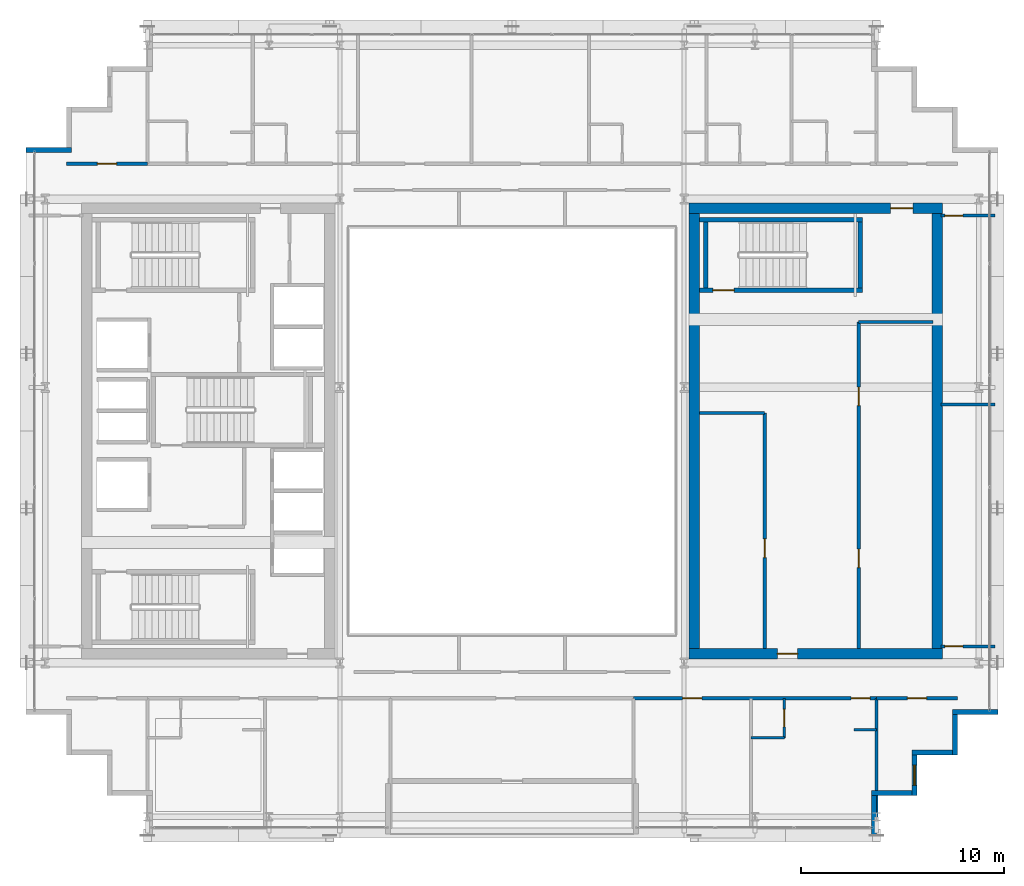
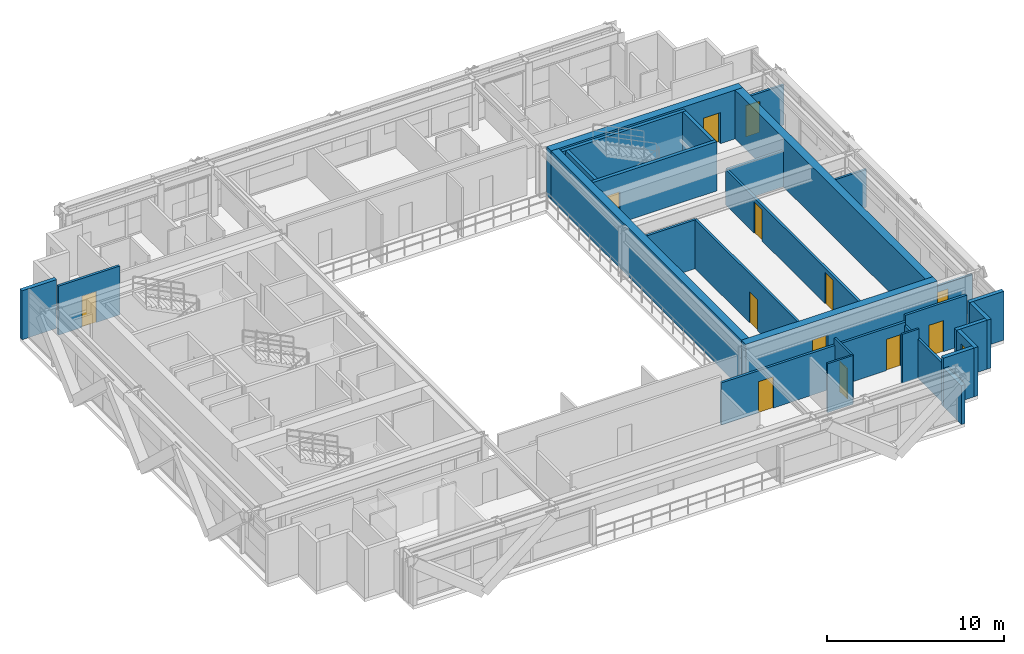
# One storey, part 26 of 32: 29 walls, 13 doors, 1 window, 14 openings.
"""IFC4 building model written with IfcOpenShell, lengths in metres."""

from ifc_helpers import new_model, si_unit, direction, frame, frame_2d, origin, place, context, subcontext, project, spatial, rectangle, extrude, source, transform, mapped, material, layer, layer_set, type_object, element, fill, save


model = new_model("IFC4")

# Units and contexts
model_context = context("Model", 3, precision=1e-05, world=origin(), true_north=direction((0.0, 1.0)))
body_context = subcontext(model_context, "Body", "Model", "MODEL_VIEW")
ifc_project = project(units=[si_unit("LENGTHUNIT", "METRE"), si_unit("AREAUNIT", "SQUARE_METRE"), si_unit("VOLUMEUNIT", "CUBIC_METRE"), si_unit("PLANEANGLEUNIT", "RADIAN"), si_unit("MASSUNIT", "GRAM", prefix="KILO")], contexts=[model_context])

# Site, building, storey
site_placement = place(None, origin())
site = spatial("IfcSite", under=ifc_project, at=site_placement, CompositionType="ELEMENT")
building_placement = place(site_placement, origin())
building = spatial("IfcBuilding", under=site, at=building_placement, Name="Ocotamira Hotel", CompositionType="ELEMENT")
storey_placement = place(building_placement, frame((0.0, 0.0, 184.800048828125)))
storey = spatial("IfcBuildingStorey", under=building, at=storey_placement, Name="L46", CompositionType="ELEMENT", Elevation=184.800048828125)

# Wall, opening, door
ifc_material_1 = material(Name="Concrete C50/60", Category="concrete")
ifc_layer_1 = layer(ifc_material_1, 0.5)
ifc_layer_set_1 = layer_set([ifc_layer_1], Name="Concrete C50/60")
wall_type_1 = type_object("IfcWallType", Name="WL-CORE-500", PredefinedType="SHEAR", material=ifc_layer_set_1)
wall_1_placement = place(storey_placement, frame((40.75, 15.0, 0.0), z_axis=(0.0, 0.0, 1.0), x_axis=(1.0, 0.0, 0.0)))
wall_1 = element("IfcWall", 1, at=wall_1_placement, inside=storey, type_object=wall_type_1, Name="L46 Shear Core Wall ECORE-S", PredefinedType="SHEAR", context=body_context, shape_type="SweptSolid", body=[
    extrude(rectangle(XDim=12.5, YDim=0.5, at=frame_2d((6.25, 0.0))), origin(), (0.0, 0.0, 1.0), 3.369873046875),
])
opening_1_placement = place(wall_1_placement, frame((4.35009765625, 0.0, 0.0)))
opening_1 = element("IfcOpeningElement", 2, at=opening_1_placement, cuts=wall_1, Name="Opening D-FR2", PredefinedType="OPENING", context=body_context, shape_type="SweptSolid", body=[
    extrude(rectangle(XDim=1.0, YDim=2.14990234375, at=frame_2d((0.5, 1.074951171875))), frame((0.0, 0.260009765625, 0.0), z_axis=(0.0, -1.0, 0.0), x_axis=(1.0, 0.0, 0.0)), (0.0, 0.0, 1.0), 0.52001953125),
])
ifc_material_2 = material(Name="Fire-rated acoustic timber-veneer door", Category="wood")
door_type_1 = type_object("IfcDoorType", Name="DR-FIRE-1000", OperationType="NOTDEFINED", PredefinedType="DOOR", material=ifc_material_2)
shared_shape_1 = source(origin(), body_context, "Body", "SweptSolid", [
    extrude(rectangle(XDim=1.0, YDim=2.14990234375, at=frame_2d((0.5, 1.074951171875))), frame((0.0, 0.02490234375, 0.0), z_axis=(0.0, -1.0, 0.0), x_axis=(1.0, 0.0, 0.0)), (0.0, 0.0, 1.0), 0.050048828125),
])
door_1_placement = place(opening_1_placement, origin())
door_1 = element("IfcDoor", 3, at=door_1_placement, inside=storey, type_object=door_type_1, Name="L46 Door ID-L46-ELOB-S-D [ID-L46-ELOB-S-D]", OperationType="SINGLE_SWING_RIGHT", OverallHeight=2.14990234375, OverallWidth=1.0, PredefinedType="DOOR", context=body_context, shape_type="MappedRepresentation", body=[
    mapped(shared_shape_1, transform((0.0, 0.0, 0.0), scale=1.0)),
])
fill(opening_1, door_1)

wall_2_placement = place(storey_placement, frame((40.75, 37.0, 0.0), z_axis=(0.0, 0.0, 1.0), x_axis=(1.0, 0.0, 0.0)))
wall_2 = element("IfcWall", 4, at=wall_2_placement, inside=storey, type_object=wall_type_1, Name="L46 Shear Core Wall ECORE-N", PredefinedType="SHEAR", context=body_context, shape_type="SweptSolid", body=[
    extrude(rectangle(XDim=12.5, YDim=0.5, at=frame_2d((6.25, 0.0))), origin(), (0.0, 0.0, 1.0), 3.369873046875),
])
opening_2_placement = place(wall_2_placement, frame((9.949951171875, 0.0, 0.0)))
opening_2 = element("IfcOpeningElement", 5, at=opening_2_placement, cuts=wall_2, Name="Opening D-FR1", PredefinedType="OPENING", context=body_context, shape_type="SweptSolid", body=[
    extrude(rectangle(XDim=1.10009765625, YDim=2.14990234375, at=frame_2d((0.550048828125, 1.074951171875))), frame((0.0, 0.260009765625, 0.0), z_axis=(0.0, -1.0, 0.0), x_axis=(1.0, 0.0, 0.0)), (0.0, 0.0, 1.0), 0.52001953125),
])
door_type_2 = type_object("IfcDoorType", Name="DR-FIRE-1100", OperationType="NOTDEFINED", PredefinedType="DOOR", material=ifc_material_2)
shared_shape_2 = source(origin(), body_context, "Body", "SweptSolid", [
    extrude(rectangle(XDim=1.10009765625, YDim=2.14990234375, at=frame_2d((0.550048828125, 1.074951171875))), frame((0.0, 0.02490234375, 0.0), z_axis=(0.0, -1.0, 0.0), x_axis=(1.0, 0.0, 0.0)), (0.0, 0.0, 1.0), 0.050048828125),
])
door_2_placement = place(opening_2_placement, origin())
door_2 = element("IfcDoor", 6, at=door_2_placement, inside=storey, type_object=door_type_2, Name="L46 Door ID-L46-ELOB-N-D [ID-L46-ELOB-N-D]", OperationType="SINGLE_SWING_LEFT", OverallHeight=2.14990234375, OverallWidth=1.10009765625, PredefinedType="DOOR", context=body_context, shape_type="MappedRepresentation", body=[
    mapped(shared_shape_2, transform((0.0, 0.0, 0.0), scale=1.0)),
])
fill(opening_2, door_2)

# Walls
for number, where, z_axis, x_axis, name in (
    (7, (41.0, 15.25, 0.0), (0.0, 0.0, 1.0), (0.0, 1.0, 0.0), "L46 Shear Core Wall ECORE-W"),
    (8, (53.0, 15.25, 0.0), (0.0, 0.0, 1.0), (0.0, 1.0, 0.0), "L46 Shear Core Wall ECORE-E"),
):
    element("IfcWall", number, at=place(storey_placement, frame(where, z_axis=z_axis, x_axis=x_axis)), inside=storey, type_object=wall_type_1, Name=name, PredefinedType="SHEAR", context=body_context, shape_type="SweptSolid", body=[
        extrude(rectangle(XDim=21.5, YDim=0.5, at=frame_2d((10.75, 0.0))), origin(), (0.0, 0.0, 1.0), 3.369873046875),
    ])
ifc_material_3 = material(Name="Precast concrete C45/55", Category="concrete")
ifc_layer_2 = layer(ifc_material_3, 0.25)
ifc_layer_set_2 = layer_set([ifc_layer_2], Name="Precast concrete C45/55")
wall_type_2 = type_object("IfcWallType", Name="WL-EXT-SER-250", PredefinedType="SOLIDWALL", material=ifc_layer_set_2)
wall_3_placement = place(storey_placement, frame((49.875, 6.0, 0.0), z_axis=(0.0, 0.0, 1.0), x_axis=(0.0, 1.0, 0.0)))
element("IfcWall", 9, at=wall_3_placement, inside=storey, type_object=wall_type_2, Name="L46 Serrated Corner Wall 01", PredefinedType="SOLIDWALL", context=body_context, shape_type="SweptSolid", body=[
    extrude(rectangle(XDim=2.0, YDim=0.25, at=frame_2d((1.0, 0.0))), origin(), (0.0, 0.0, 1.0), 2.677001953125),
])
wall_4_placement = place(storey_placement, frame((49.75, 8.125, 0.0), z_axis=(0.0, 0.0, 1.0), x_axis=(1.0, 0.0, 0.0)))
element("IfcWall", 10, at=wall_4_placement, inside=storey, type_object=wall_type_2, Name="L46 Serrated Corner Wall 02", PredefinedType="SOLIDWALL", context=body_context, shape_type="SweptSolid", body=[
    extrude(rectangle(XDim=2.0, YDim=0.25, at=frame_2d((1.0, 0.0))), origin(), (0.0, 0.0, 1.0), 3.369873046875),
])

# Wall, opening, window
wall_5_placement = place(storey_placement, frame((51.875, 8.0, 0.0), z_axis=(0.0, 0.0, 1.0), x_axis=(0.0, 1.0, 0.0)))
wall_5 = element("IfcWall", 11, at=wall_5_placement, inside=storey, type_object=wall_type_2, Name="L46 Serrated Corner Wall 03", PredefinedType="SOLIDWALL", context=body_context, shape_type="SweptSolid", body=[
    extrude(rectangle(XDim=2.0, YDim=0.25, at=frame_2d((1.0, 0.0))), origin(), (0.0, 0.0, 1.0), 3.369873046875),
])
opening_3_placement = place(wall_5_placement, frame((0.5, 0.0, 0.85009765625)))
opening_3 = element("IfcOpeningElement", 12, at=opening_3_placement, cuts=wall_5, Name="Opening WN-2", PredefinedType="OPENING", context=body_context, shape_type="SweptSolid", body=[
    extrude(rectangle(XDim=1.0, YDim=1.89990234375, at=frame_2d((0.5, 0.949951171875))), frame((0.0, 0.135009765625, 0.0), z_axis=(0.0, -1.0, 0.0), x_axis=(1.0, 0.0, 0.0)), (0.0, 0.0, 1.0), 0.27001953125),
])
ifc_material_4 = material(Name="Double-silver low-E solar glass", Category="glass")
window_type = type_object("IfcWindowType", Name="WIN-SER-1100", PartitioningType="SINGLE_PANEL", PredefinedType="WINDOW", material=ifc_material_4)
shared_shape_3 = source(origin(), body_context, "Body", "SweptSolid", [
    extrude(rectangle(XDim=1.0, YDim=1.89990234375, at=frame_2d((0.5, 0.949951171875))), frame((0.0, 0.030029296875, 0.0), z_axis=(0.0, -1.0, 0.0), x_axis=(1.0, 0.0, 0.0)), (0.0, 0.0, 1.0), 0.06005859375),
])
window_placement = place(opening_3_placement, origin())
window = element("IfcWindow", 13, at=window_placement, inside=storey, type_object=window_type, Name="L46 Serrated Corner Window 03", OverallHeight=1.89990234375, OverallWidth=1.0, PartitioningType="SINGLE_PANEL", PredefinedType="WINDOW", context=body_context, shape_type="MappedRepresentation", body=[
    mapped(shared_shape_3, transform((0.0, 0.0, 0.0), scale=1.0)),
])
fill(opening_3, window)

# Walls
for number, where, z_axis, x_axis, name in (
    (14, (51.75, 10.125, 0.0), (0.0, 0.0, 1.0), (1.0, 0.0, 0.0), "L46 Serrated Corner Wall 04"),
    (15, (53.875, 10.0, 0.0), (0.0, 0.0, 1.0), (0.0, 1.0, 0.0), "L46 Serrated Corner Wall 05"),
):
    element("IfcWall", number, at=place(storey_placement, frame(where, z_axis=z_axis, x_axis=x_axis)), inside=storey, type_object=wall_type_2, Name=name, PredefinedType="SOLIDWALL", context=body_context, shape_type="SweptSolid", body=[
        extrude(rectangle(XDim=2.0, YDim=0.25, at=frame_2d((1.0, 0.0))), origin(), (0.0, 0.0, 1.0), 3.369873046875),
    ])
for number, where, z_axis, x_axis, name in (
    (16, (53.75, 12.125, 0.0), (0.0, 0.0, 1.0), (1.0, 0.0, 0.0), "L46 Serrated Corner Wall 06"),
    (17, (10.25, 39.875, 0.0), (0.0, 0.0, 1.0), (-1.0, 0.0, 0.0), "L46 Serrated Corner Wall 18"),
):
    element("IfcWall", number, at=place(storey_placement, frame(where, z_axis=z_axis, x_axis=x_axis)), inside=storey, type_object=wall_type_2, Name=name, PredefinedType="SOLIDWALL", context=body_context, shape_type="SweptSolid", body=[
        extrude(rectangle(XDim=2.25, YDim=0.25, at=frame_2d((1.125, 0.0))), origin(), (0.0, 0.0, 1.0), 3.369873046875),
    ])
ifc_material_5 = material(Name="Acoustic double-layer fire gypsum board partition", Category="gypsum")
ifc_layer_3 = layer(ifc_material_5, 0.159912109375)
ifc_layer_set_3 = layer_set([ifc_layer_3], Name="Acoustic double-layer fire gypsum board partition")
wall_type_3 = type_object("IfcWallType", Name="WL-FIRE-160", PredefinedType="PARTITIONING", material=ifc_layer_set_3)
wall_6_placement = place(storey_placement, frame((49.1201171875, 31.3798828125, 0.0), z_axis=(0.0, 0.0, 1.0), x_axis=(1.0, 0.0, 0.0)))
element("IfcWall", 18, at=wall_6_placement, inside=storey, type_object=wall_type_3, Name="L46 Interior Wall PW-L46-EC-FLOW-N", PredefinedType="PARTITIONING", context=body_context, shape_type="SweptSolid", body=[
    extrude(rectangle(XDim=3.679931640625, YDim=0.159912109375, at=frame_2d((1.83984375, 0.0))), origin(), (0.0, 0.0, 1.0), 2.469970703125),
])

# Wall, openings, doors
wall_7_placement = place(storey_placement, frame((49.1201171875, 15.25, 0.0), z_axis=(0.0, 0.0, 1.0), x_axis=(0.0, 1.0, 0.0)))
wall_7 = element("IfcWall", 19, at=wall_7_placement, inside=storey, type_object=wall_type_3, Name="L46 Interior Wall PW-L46-EC-FLOW-W", PredefinedType="PARTITIONING", context=body_context, shape_type="SweptSolid", body=[
    extrude(rectangle(XDim=16.1298828125, YDim=0.159912109375, at=frame_2d((8.06494140625, 0.0))), origin(), (0.0, 0.0, 1.0), 2.44287109375),
])
opening_4_placement = place(wall_7_placement, frame((4.0, 0.0, 0.0)))
opening_4 = element("IfcOpeningElement", 20, at=opening_4_placement, cuts=wall_7, Name="Opening D-SV3", PredefinedType="OPENING", context=body_context, shape_type="SweptSolid", body=[
    extrude(rectangle(XDim=0.919921875, YDim=2.14990234375, at=frame_2d((0.4599609375, 1.074951171875))), frame((0.0, 0.08984375, 0.0), z_axis=(0.0, -1.0, 0.0), x_axis=(1.0, 0.0, 0.0)), (0.0, 0.0, 1.0), 0.179931640625),
])
opening_5_placement = place(wall_7_placement, frame((12.0, 0.0, 0.0)))
opening_5 = element("IfcOpeningElement", 21, at=opening_5_placement, cuts=wall_7, Name="Opening D-SV3", PredefinedType="OPENING", context=body_context, shape_type="SweptSolid", body=[
    extrude(rectangle(XDim=0.919921875, YDim=2.14990234375, at=frame_2d((0.4599609375, 1.074951171875))), frame((0.0, 0.08984375, 0.0), z_axis=(0.0, -1.0, 0.0), x_axis=(1.0, 0.0, 0.0)), (0.0, 0.0, 1.0), 0.179931640625),
])
ifc_material_6 = material(Name="Fire-rated walnut hospitality door", Category="wood")
door_type_3 = type_object("IfcDoorType", Name="DR-SERV-920", OperationType="NOTDEFINED", PredefinedType="DOOR", material=ifc_material_6)
shared_shape_4 = source(origin(), body_context, "Body", "SweptSolid", [
    extrude(rectangle(XDim=0.919921875, YDim=2.14990234375, at=frame_2d((0.4599609375, 1.074951171875))), frame((0.0, 0.02490234375, 0.0), z_axis=(0.0, -1.0, 0.0), x_axis=(1.0, 0.0, 0.0)), (0.0, 0.0, 1.0), 0.050048828125),
])
door_3_placement = place(opening_4_placement, origin())
door_3 = element("IfcDoor", 22, at=door_3_placement, inside=storey, type_object=door_type_3, Name="L46 Door ID-L46-EC-FLOW-D1 [ID-L46-EC-FLOW-D1]", OperationType="SINGLE_SWING_LEFT", OverallHeight=2.14990234375, OverallWidth=0.919921875, PredefinedType="DOOR", context=body_context, shape_type="MappedRepresentation", body=[
    mapped(shared_shape_4, transform((0.0, 0.0, 0.0), scale=1.0)),
])
fill(opening_4, door_3)
door_4_placement = place(opening_5_placement, origin())
door_4 = element("IfcDoor", 23, at=door_4_placement, inside=storey, type_object=door_type_3, Name="L46 Door ID-L46-EC-FLOW-D2 [ID-L46-EC-FLOW-D2]", OperationType="SINGLE_SWING_RIGHT", OverallHeight=2.14990234375, OverallWidth=0.919921875, PredefinedType="DOOR", context=body_context, shape_type="MappedRepresentation", body=[
    mapped(shared_shape_4, transform((0.0, 0.0, 0.0), scale=1.0)),
])
fill(opening_5, door_4)

# Wall, opening, door
wall_8_placement = place(storey_placement, frame((50.0, 12.800048828125, 0.0), z_axis=(0.0, 0.0, 1.0), x_axis=(1.0, 0.0, 0.0)))
wall_8 = element("IfcWall", 24, at=wall_8_placement, inside=storey, type_object=wall_type_3, Name="L46 Interior Wall PW-L46-Z3C-CSE-CW", PredefinedType="PARTITIONING", context=body_context, shape_type="SweptSolid", body=[
    extrude(rectangle(XDim=4.0, YDim=0.159912109375, at=frame_2d((2.0, 0.0))), origin(), (0.0, 0.0, 1.0), 3.369873046875),
])
opening_6_placement = place(wall_8_placement, frame((1.52001953125, 0.0, 0.0)))
opening_6 = element("IfcOpeningElement", 25, at=opening_6_placement, cuts=wall_8, Name="Opening D-SV4", PredefinedType="OPENING", context=body_context, shape_type="SweptSolid", body=[
    extrude(rectangle(XDim=0.9599609375, YDim=2.14990234375, at=frame_2d((0.47998046875, 1.074951171875))), frame((0.0, 0.08984375, 0.0), z_axis=(0.0, -1.0, 0.0), x_axis=(1.0, 0.0, 0.0)), (0.0, 0.0, 1.0), 0.179931640625),
])
ifc_material_7 = material(Name="Fire-rated accessible walnut salon door", Category="wood")
door_type_4 = type_object("IfcDoorType", Name="DR-SERV-960", OperationType="NOTDEFINED", PredefinedType="DOOR", material=ifc_material_7)
shared_shape_5 = source(origin(), body_context, "Body", "SweptSolid", [
    extrude(rectangle(XDim=0.9599609375, YDim=2.14990234375, at=frame_2d((0.47998046875, 1.074951171875))), frame((0.0, 0.02490234375, 0.0), z_axis=(0.0, -1.0, 0.0), x_axis=(1.0, 0.0, 0.0)), (0.0, 0.0, 1.0), 0.050048828125),
])
door_5_placement = place(opening_6_placement, origin())
door_5 = element("IfcDoor", 26, at=door_5_placement, inside=storey, type_object=door_type_4, Name="L46 Door ID-L46-Z3C-CSE-CD [ID-L46-Z3C-CSE-CD]", OperationType="SINGLE_SWING_LEFT", OverallHeight=2.14990234375, OverallWidth=0.9599609375, PredefinedType="DOOR", context=body_context, shape_type="MappedRepresentation", body=[
    mapped(shared_shape_5, transform((0.0, 0.0, 0.0), scale=1.0)),
])
fill(opening_6, door_5)

wall_9_placement = place(storey_placement, frame((10.0, 39.199951171875, 0.0), z_axis=(0.0, 0.0, 1.0), x_axis=(1.0, 0.0, 0.0)))
wall_9 = element("IfcWall", 27, at=wall_9_placement, inside=storey, type_object=wall_type_3, Name="L46 Interior Wall PW-L46-Z3C-CNW-CW", PredefinedType="PARTITIONING", context=body_context, shape_type="SweptSolid", body=[
    extrude(rectangle(XDim=4.0, YDim=0.159912109375, at=frame_2d((2.0, 0.0))), origin(), (0.0, 0.0, 1.0), 3.369873046875),
])
opening_7_placement = place(wall_9_placement, frame((1.52001953125, 0.0, 0.0)))
opening_7 = element("IfcOpeningElement", 28, at=opening_7_placement, cuts=wall_9, Name="Opening D-SV4", PredefinedType="OPENING", context=body_context, shape_type="SweptSolid", body=[
    extrude(rectangle(XDim=0.9599609375, YDim=2.14990234375, at=frame_2d((0.47998046875, 1.074951171875))), frame((0.0, 0.08984375, 0.0), z_axis=(0.0, -1.0, 0.0), x_axis=(1.0, 0.0, 0.0)), (0.0, 0.0, 1.0), 0.179931640625),
])
door_6_placement = place(opening_7_placement, origin())
door_6 = element("IfcDoor", 29, at=door_6_placement, inside=storey, type_object=door_type_4, Name="L46 Door ID-L46-Z3C-CNW-CD [ID-L46-Z3C-CNW-CD]", OperationType="SINGLE_SWING_LEFT", OverallHeight=2.14990234375, OverallWidth=0.9599609375, PredefinedType="DOOR", context=body_context, shape_type="MappedRepresentation", body=[
    mapped(shared_shape_5, transform((0.0, 0.0, 0.0), scale=1.0)),
])
fill(opening_7, door_6)

# Wall, openings, doors
wall_10_placement = place(storey_placement, frame((38.0, 12.800048828125, 0.0), z_axis=(0.0, 0.0, 1.0), x_axis=(1.0, 0.0, 0.0)))
wall_10 = element("IfcWall", 30, at=wall_10_placement, inside=storey, type_object=wall_type_3, Name="L46 Interior Wall PW-L46-Z3CSE-CORRW", PredefinedType="PARTITIONING", context=body_context, shape_type="SweptSolid", body=[
    extrude(rectangle(XDim=12.0, YDim=0.159912109375, at=frame_2d((6.0, 0.0))), origin(), (0.0, 0.0, 1.0), 2.912841796875),
])
opening_8_placement = place(wall_10_placement, frame((2.419921875, 0.0, 0.0)))
opening_8 = element("IfcOpeningElement", 31, at=opening_8_placement, cuts=wall_10, Name="Opening D-SV4", PredefinedType="OPENING", context=body_context, shape_type="SweptSolid", body=[
    extrude(rectangle(XDim=0.9599609375, YDim=2.14990234375, at=frame_2d((0.47998046875, 1.074951171875))), frame((0.0, 0.08984375, 0.0), z_axis=(0.0, -1.0, 0.0), x_axis=(1.0, 0.0, 0.0)), (0.0, 0.0, 1.0), 0.179931640625),
])
opening_9_placement = place(wall_10_placement, frame((10.739990234375, 0.0, 0.0)))
opening_9 = element("IfcOpeningElement", 32, at=opening_9_placement, cuts=wall_10, Name="Opening D-GR1", PredefinedType="OPENING", context=body_context, shape_type="SweptSolid", body=[
    extrude(rectangle(XDim=0.93994140625, YDim=2.14990234375, at=frame_2d((0.469970703125, 1.074951171875))), frame((0.0, 0.08984375, 0.0), z_axis=(0.0, -1.0, 0.0), x_axis=(1.0, 0.0, 0.0)), (0.0, 0.0, 1.0), 0.179931640625),
])
door_7_placement = place(opening_8_placement, origin())
door_7 = element("IfcDoor", 33, at=door_7_placement, inside=storey, type_object=door_type_4, Name="L46 Door ID-L46-Z3CSE-AMD1 [ID-L46-Z3CSE-AMD1]", OperationType="SINGLE_SWING_LEFT", OverallHeight=2.14990234375, OverallWidth=0.9599609375, PredefinedType="DOOR", context=body_context, shape_type="MappedRepresentation", body=[
    mapped(shared_shape_5, transform((0.0, 0.0, 0.0), scale=1.0)),
])
fill(opening_8, door_7)
ifc_material_8 = material(Name="Solid-core walnut suite entrance fire door", Category="wood")
door_type_5 = type_object("IfcDoorType", Name="DR-GUEST-940", OperationType="NOTDEFINED", PredefinedType="DOOR", material=ifc_material_8)
shared_shape_6 = source(origin(), body_context, "Body", "SweptSolid", [
    extrude(rectangle(XDim=0.93994140625, YDim=2.14990234375, at=frame_2d((0.469970703125, 1.074951171875))), frame((0.0, 0.02490234375, 0.0), z_axis=(0.0, -1.0, 0.0), x_axis=(1.0, 0.0, 0.0)), (0.0, 0.0, 1.0), 0.050048828125),
])
door_8_placement = place(opening_9_placement, origin())
door_8 = element("IfcDoor", 34, at=door_8_placement, inside=storey, type_object=door_type_5, Name="L46 Door ID-L46-Z3CSE-RMD2 [ID-L46-Z3CSE-RMD2]", OperationType="SINGLE_SWING_RIGHT", OverallHeight=2.14990234375, OverallWidth=0.93994140625, PredefinedType="DOOR", context=body_context, shape_type="MappedRepresentation", body=[
    mapped(shared_shape_6, transform((0.0, 0.0, 0.0), scale=1.0)),
])
fill(opening_9, door_8)

# Wall, opening, door
ifc_material_9 = material(Name="Moisture-resistant en-suite tile and gypsum partition", Category="gypsum")
ifc_layer_4 = layer(ifc_material_9, 0.1201171875)
ifc_layer_set_4 = layer_set([ifc_layer_4], Name="Moisture-resistant en-suite tile and gypsum partition")
wall_type_4 = type_object("IfcWallType", Name="WL-PART-120", PredefinedType="PARTITIONING", material=ifc_layer_set_4)
wall_11_placement = place(storey_placement, frame((45.449951171875, 10.85009765625, 0.0), z_axis=(0.0, 0.0, 1.0), x_axis=(0.0, 1.0, 0.0)))
wall_11 = element("IfcWall", 35, at=wall_11_placement, inside=storey, type_object=wall_type_4, Name="L46 Interior Wall PW-L46-Z3CSE-BAE2", PredefinedType="PARTITIONING", context=body_context, shape_type="SweptSolid", body=[
    extrude(rectangle(XDim=1.949951171875, YDim=0.1201171875, at=frame_2d((0.97509765625, 0.0))), origin(), (0.0, 0.0, 1.0), 3.369873046875),
])
opening_10_placement = place(wall_11_placement, frame((0.544921875, 0.0, 0.0)))
opening_10 = element("IfcOpeningElement", 36, at=opening_10_placement, cuts=wall_11, Name="Opening D-BA1", PredefinedType="OPENING", context=body_context, shape_type="SweptSolid", body=[
    extrude(rectangle(XDim=0.860107421875, YDim=2.10009765625, at=frame_2d((0.43017578125, 1.050048828125))), frame((0.0, 0.070068359375, 0.0), z_axis=(0.0, -1.0, 0.0), x_axis=(1.0, 0.0, 0.0)), (0.0, 0.0, 1.0), 0.14013671875),
])
ifc_material_10 = material(Name="Moisture-sealed en-suite timber door", Category="wood")
door_type_6 = type_object("IfcDoorType", Name="DR-BATH-860", OperationType="NOTDEFINED", PredefinedType="DOOR", material=ifc_material_10)
shared_shape_7 = source(origin(), body_context, "Body", "SweptSolid", [
    extrude(rectangle(XDim=0.860107421875, YDim=2.10009765625, at=frame_2d((0.43017578125, 1.050048828125))), frame((0.0, 0.02490234375, 0.0), z_axis=(0.0, -1.0, 0.0), x_axis=(1.0, 0.0, 0.0)), (0.0, 0.0, 1.0), 0.050048828125),
])
door_9_placement = place(opening_10_placement, origin())
door_9 = element("IfcDoor", 37, at=door_9_placement, inside=storey, type_object=door_type_6, Name="L46 Door ID-L46-Z3CSE-BAD2 [ID-L46-Z3CSE-BAD2]", OperationType="SINGLE_SWING_LEFT", OverallHeight=2.10009765625, OverallWidth=0.860107421875, PredefinedType="DOOR", context=body_context, shape_type="MappedRepresentation", body=[
    mapped(shared_shape_7, transform((0.0, 0.0, 0.0), scale=1.0)),
])
fill(opening_10, door_9)

# Walls
wall_12_placement = place(storey_placement, frame((43.800048828125, 10.85009765625, 0.0), z_axis=(0.0, 0.0, 1.0), x_axis=(1.0, 0.0, 0.0)))
element("IfcWall", 38, at=wall_12_placement, inside=storey, type_object=wall_type_4, Name="L46 Interior Wall PW-L46-Z3CSE-BAS2", PredefinedType="PARTITIONING", context=body_context, shape_type="SweptSolid", body=[
    extrude(rectangle(XDim=1.64990234375, YDim=0.1201171875, at=frame_2d((0.824951171875, 0.0))), origin(), (0.0, 0.0, 1.0), 3.369873046875),
])
wall_13_placement = place(storey_placement, frame((48.89990234375, 11.25, 0.0), z_axis=(0.0, 0.0, 1.0), x_axis=(1.0, 0.0, 0.0)))
element("IfcWall", 39, at=wall_13_placement, inside=storey, type_object=wall_type_4, Name="L46 Interior Wall PW-L46-Z3CSE-DRN2", PredefinedType="PARTITIONING", context=body_context, shape_type="SweptSolid", body=[
    extrude(rectangle(XDim=1.10009765625, YDim=0.1201171875, at=frame_2d((0.550048828125, 0.0))), origin(), (0.0, 0.0, 1.0), 3.369873046875),
])
ifc_material_11 = material(Name="Acoustic hospitality gypsum board partition", Category="gypsum")
ifc_layer_5 = layer(ifc_material_11, 0.14208984375)
ifc_layer_set_5 = layer_set([ifc_layer_5], Name="Acoustic hospitality gypsum board partition")
wall_type_5 = type_object("IfcWallType", Name="WL-PART-142", PredefinedType="PARTITIONING", material=ifc_layer_set_5)
wall_14_placement = place(storey_placement, frame((53.179931640625, 27.300048828125, 0.0), z_axis=(0.0, 0.0, 1.0), x_axis=(1.0, 0.0, 0.0)))
element("IfcWall", 40, at=wall_14_placement, inside=storey, type_object=wall_type_5, Name="L46 Interior Wall PW-L46-Z3C-EF-DV1", PredefinedType="PARTITIONING", context=body_context, shape_type="SweptSolid", body=[
    extrude(rectangle(XDim=2.66015625, YDim=0.14208984375, at=frame_2d((1.330078125, 0.0))), origin(), (0.0, 0.0, 1.0), 2.591064453125),
])
ifc_layer_6 = layer(ifc_material_11, 0.14990234375)
ifc_layer_set_6 = layer_set([ifc_layer_6], Name="Acoustic hospitality gypsum board partition")
wall_type_6 = type_object("IfcWallType", Name="WL-PART-150", PredefinedType="PARTITIONING", material=ifc_layer_set_6)
wall_15_placement = place(storey_placement, frame((41.25, 26.8798828125, 0.0), z_axis=(0.0, 0.0, 1.0), x_axis=(1.0, 0.0, 0.0)))
element("IfcWall", 41, at=wall_15_placement, inside=storey, type_object=wall_type_6, Name="L46 Interior Wall PW-L46-EC-FMID-N", PredefinedType="PARTITIONING", context=body_context, shape_type="SweptSolid", body=[
    extrude(rectangle(XDim=3.22998046875, YDim=0.14990234375, at=frame_2d((1.614990234375, 0.0))), origin(), (0.0, 0.0, 1.0), 3.369873046875),
])

# Wall, opening, door
wall_16_placement = place(storey_placement, frame((44.47998046875, 15.25, 0.0), z_axis=(0.0, 0.0, 1.0), x_axis=(0.0, 1.0, 0.0)))
wall_16 = element("IfcWall", 42, at=wall_16_placement, inside=storey, type_object=wall_type_6, Name="L46 Interior Wall PW-L46-EC-FMID-E", PredefinedType="PARTITIONING", context=body_context, shape_type="SweptSolid", body=[
    extrude(rectangle(XDim=11.6298828125, YDim=0.14990234375, at=frame_2d((5.81494140625, 0.0))), origin(), (0.0, 0.0, 1.0), 3.369873046875),
])
opening_11_placement = place(wall_16_placement, frame((4.5, 0.0, 0.0)))
opening_11 = element("IfcOpeningElement", 43, at=opening_11_placement, cuts=wall_16, Name="Opening D-SV3", PredefinedType="OPENING", context=body_context, shape_type="SweptSolid", body=[
    extrude(rectangle(XDim=0.919921875, YDim=2.14990234375, at=frame_2d((0.4599609375, 1.074951171875))), frame((0.0, 0.0849609375, 0.0), z_axis=(0.0, -1.0, 0.0), x_axis=(1.0, 0.0, 0.0)), (0.0, 0.0, 1.0), 0.169921875),
])
door_10_placement = place(opening_11_placement, origin())
door_10 = element("IfcDoor", 44, at=door_10_placement, inside=storey, type_object=door_type_3, Name="L46 Door ID-L46-EC-FMID-D1 [ID-L46-EC-FMID-D1]", OperationType="SINGLE_SWING_RIGHT", OverallHeight=2.14990234375, OverallWidth=0.919921875, PredefinedType="DOOR", context=body_context, shape_type="MappedRepresentation", body=[
    mapped(shared_shape_4, transform((0.0, 0.0, 0.0), scale=1.0)),
])
fill(opening_11, door_10)

wall_17_placement = place(storey_placement, frame((53.179931640625, 15.360107421875, 0.0), z_axis=(0.0, 0.0, 1.0), x_axis=(1.0, 0.0, 0.0)))
wall_17 = element("IfcWall", 45, at=wall_17_placement, inside=storey, type_object=wall_type_6, Name="L46 Interior Wall PW-L46-Z3C-EF-WS", PredefinedType="PARTITIONING", context=body_context, shape_type="SweptSolid", body=[
    extrude(rectangle(XDim=2.66015625, YDim=0.14990234375, at=frame_2d((1.330078125, 0.0))), origin(), (0.0, 0.0, 1.0), 2.591064453125),
])
opening_12_placement = place(wall_17_placement, frame((0.199951171875, 0.0, 0.0)))
opening_12 = element("IfcOpeningElement", 46, at=opening_12_placement, cuts=wall_17, Name="Opening D-SV2", PredefinedType="OPENING", context=body_context, shape_type="SweptSolid", body=[
    extrude(rectangle(XDim=0.8798828125, YDim=2.14990234375, at=frame_2d((0.43994140625, 1.074951171875))), frame((0.0, 0.0849609375, 0.0), z_axis=(0.0, -1.0, 0.0), x_axis=(1.0, 0.0, 0.0)), (0.0, 0.0, 1.0), 0.169921875),
])
ifc_material_12 = material(Name="Fire-rated painted steel service door", Category="steel")
door_type_7 = type_object("IfcDoorType", Name="DR-SERV-880", OperationType="NOTDEFINED", PredefinedType="DOOR", material=ifc_material_12)
shared_shape_8 = source(origin(), body_context, "Body", "SweptSolid", [
    extrude(rectangle(XDim=0.8798828125, YDim=2.14990234375, at=frame_2d((0.43994140625, 1.074951171875))), frame((0.0, 0.02490234375, 0.0), z_axis=(0.0, -1.0, 0.0), x_axis=(1.0, 0.0, 0.0)), (0.0, 0.0, 1.0), 0.050048828125),
])
door_11_placement = place(opening_12_placement, origin())
door_11 = element("IfcDoor", 47, at=door_11_placement, inside=storey, type_object=door_type_7, Name="L46 Door ID-L46-Z3C-EF-DS [ID-L46-Z3C-EF-DS]", OperationType="SINGLE_SWING_RIGHT", OverallHeight=2.14990234375, OverallWidth=0.8798828125, PredefinedType="DOOR", context=body_context, shape_type="MappedRepresentation", body=[
    mapped(shared_shape_8, transform((0.0, 0.0, 0.0), scale=1.0)),
])
fill(opening_12, door_11)

wall_18_placement = place(storey_placement, frame((53.179931640625, 36.639892578125, 0.0), z_axis=(0.0, 0.0, 1.0), x_axis=(1.0, 0.0, 0.0)))
wall_18 = element("IfcWall", 48, at=wall_18_placement, inside=storey, type_object=wall_type_6, Name="L46 Interior Wall PW-L46-Z3C-EF-WN", PredefinedType="PARTITIONING", context=body_context, shape_type="SweptSolid", body=[
    extrude(rectangle(XDim=2.66015625, YDim=0.14990234375, at=frame_2d((1.330078125, 0.0))), origin(), (0.0, 0.0, 1.0), 2.7529296875),
])
opening_13_placement = place(wall_18_placement, frame((0.199951171875, 0.0, 0.0)))
opening_13 = element("IfcOpeningElement", 49, at=opening_13_placement, cuts=wall_18, Name="Opening D-SV2", PredefinedType="OPENING", context=body_context, shape_type="SweptSolid", body=[
    extrude(rectangle(XDim=0.8798828125, YDim=2.14990234375, at=frame_2d((0.43994140625, 1.074951171875))), frame((0.0, 0.0849609375, 0.0), z_axis=(0.0, -1.0, 0.0), x_axis=(1.0, 0.0, 0.0)), (0.0, 0.0, 1.0), 0.169921875),
])
door_12_placement = place(opening_13_placement, origin())
door_12 = element("IfcDoor", 50, at=door_12_placement, inside=storey, type_object=door_type_7, Name="L46 Door ID-L46-Z3C-EF-DN [ID-L46-Z3C-EF-DN]", OperationType="SINGLE_SWING_LEFT", OverallHeight=2.14990234375, OverallWidth=0.8798828125, PredefinedType="DOOR", context=body_context, shape_type="MappedRepresentation", body=[
    mapped(shared_shape_8, transform((0.0, 0.0, 0.0), scale=1.0)),
])
fill(opening_13, door_12)

# Wall
ifc_material_13 = material(Name="Acoustic double-stud hospitality gypsum partition", Category="gypsum")
ifc_layer_7 = layer(ifc_material_13, 0.159912109375)
ifc_layer_set_7 = layer_set([ifc_layer_7], Name="Acoustic double-stud hospitality gypsum partition")
wall_type_7 = type_object("IfcWallType", Name="WL-PART-160", PredefinedType="PARTITIONING", material=ifc_layer_set_7)
wall_19_placement = place(storey_placement, frame((50.0, 6.360107421875, 0.0), z_axis=(0.0, 0.0, 1.0), x_axis=(0.0, 1.0, 0.0)))
element("IfcWall", 51, at=wall_19_placement, inside=storey, type_object=wall_type_7, Name="L46 Interior Wall PW-L46-Z3CSE-PWEND", PredefinedType="PARTITIONING", context=body_context, shape_type="SweptSolid", body=[
    extrude(rectangle(XDim=6.43994140625, YDim=0.159912109375, at=frame_2d((3.219970703125, 0.0))), origin(), (0.0, 0.0, 1.0), 2.677001953125),
])

# Wall, opening, door
ifc_layer_8 = layer(ifc_material_1, 0.219970703125)
ifc_layer_set_8 = layer_set([ifc_layer_8], Name="Concrete C50/60")
wall_type_8 = type_object("IfcWallType", Name="WL-STAIR-220", PredefinedType="SHEAR", material=ifc_layer_set_8)
wall_20_placement = place(storey_placement, frame((41.25, 32.93994140625, 0.0), z_axis=(0.0, 0.0, 1.0), x_axis=(1.0, 0.0, 0.0)))
wall_20 = element("IfcWall", 52, at=wall_20_placement, inside=storey, type_object=wall_type_8, Name="L46 Stair Shaft Structural Wall ST-4-S", PredefinedType="SHEAR", context=body_context, shape_type="SweptSolid", body=[
    extrude(rectangle(XDim=8.06005859375, YDim=0.219970703125, at=frame_2d((4.030029296875, 0.0))), origin(), (0.0, 0.0, 1.0), 3.39990234375),
])
opening_14_placement = place(wall_20_placement, frame((0.669921875, 0.0, 0.0)))
opening_14 = element("IfcOpeningElement", 53, at=opening_14_placement, cuts=wall_20, Name="Opening D-ST2", PredefinedType="OPENING", context=body_context, shape_type="SweptSolid", body=[
    extrude(rectangle(XDim=1.050048828125, YDim=2.14990234375, at=frame_2d((0.52490234375, 1.074951171875))), frame((0.0, 0.1201171875, 0.0), z_axis=(0.0, -1.0, 0.0), x_axis=(1.0, 0.0, 0.0)), (0.0, 0.0, 1.0), 0.239990234375),
])
ifc_material_14 = material(Name="Insulated painted hollow-metal fire exit door", Category="steel")
door_type_8 = type_object("IfcDoorType", Name="DR-STAIR-1050", OperationType="NOTDEFINED", PredefinedType="DOOR", material=ifc_material_14)
shared_shape_9 = source(origin(), body_context, "Body", "SweptSolid", [
    extrude(rectangle(XDim=1.050048828125, YDim=2.14990234375, at=frame_2d((0.52490234375, 1.074951171875))), frame((0.0, 0.02490234375, 0.0), z_axis=(0.0, -1.0, 0.0), x_axis=(1.0, 0.0, 0.0)), (0.0, 0.0, 1.0), 0.050048828125),
])
door_13_placement = place(opening_14_placement, origin())
door_13 = element("IfcDoor", 54, at=door_13_placement, inside=storey, type_object=door_type_8, Name="L46 Door ID-L46-STD-ST-4 [ID-L46-STD-ST-4]", OperationType="SINGLE_SWING_RIGHT", OverallHeight=2.14990234375, OverallWidth=1.050048828125, PredefinedType="DOOR", context=body_context, shape_type="MappedRepresentation", body=[
    mapped(shared_shape_9, transform((0.0, 0.0, 0.0), scale=1.0)),
])
fill(opening_14, door_13)

# Walls
wall_21_placement = place(storey_placement, frame((41.25, 36.43994140625, 0.0), z_axis=(0.0, 0.0, 1.0), x_axis=(1.0, 0.0, 0.0)))
element("IfcWall", 55, at=wall_21_placement, inside=storey, type_object=wall_type_8, Name="L46 Stair Shaft Structural Wall ST-4-N", PredefinedType="SHEAR", context=body_context, shape_type="SweptSolid", body=[
    extrude(rectangle(XDim=8.06005859375, YDim=0.219970703125, at=frame_2d((4.030029296875, 0.0))), origin(), (0.0, 0.0, 1.0), 3.39990234375),
])
for number, where, z_axis, x_axis, name in (
    (56, (41.56005859375, 33.050048828125, 0.0), (0.0, 0.0, 1.0), (0.0, 1.0, 0.0), "L46 Stair Shaft Structural Wall ST-4-W"),
    (57, (49.199951171875, 33.050048828125, 0.0), (0.0, 0.0, 1.0), (0.0, 1.0, 0.0), "L46 Stair Shaft Structural Wall ST-4-E"),
):
    element("IfcWall", number, at=place(storey_placement, frame(where, z_axis=z_axis, x_axis=x_axis)), inside=storey, type_object=wall_type_8, Name=name, PredefinedType="SHEAR", context=body_context, shape_type="SweptSolid", body=[
        extrude(rectangle(XDim=3.280029296875, YDim=0.219970703125, at=frame_2d((1.64013671875, 0.0))), origin(), (0.0, 0.0, 1.0), 3.39990234375),
    ])

save(model, "model.ifc")
